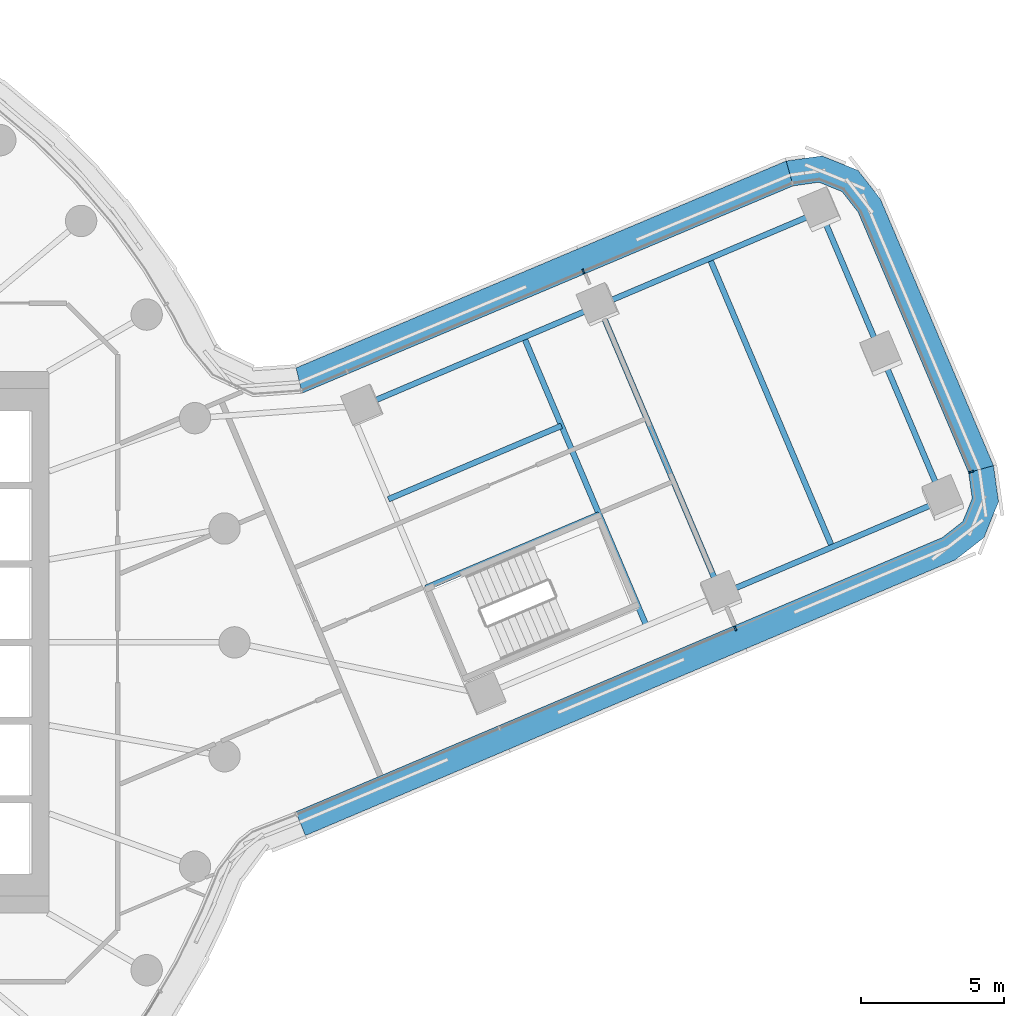
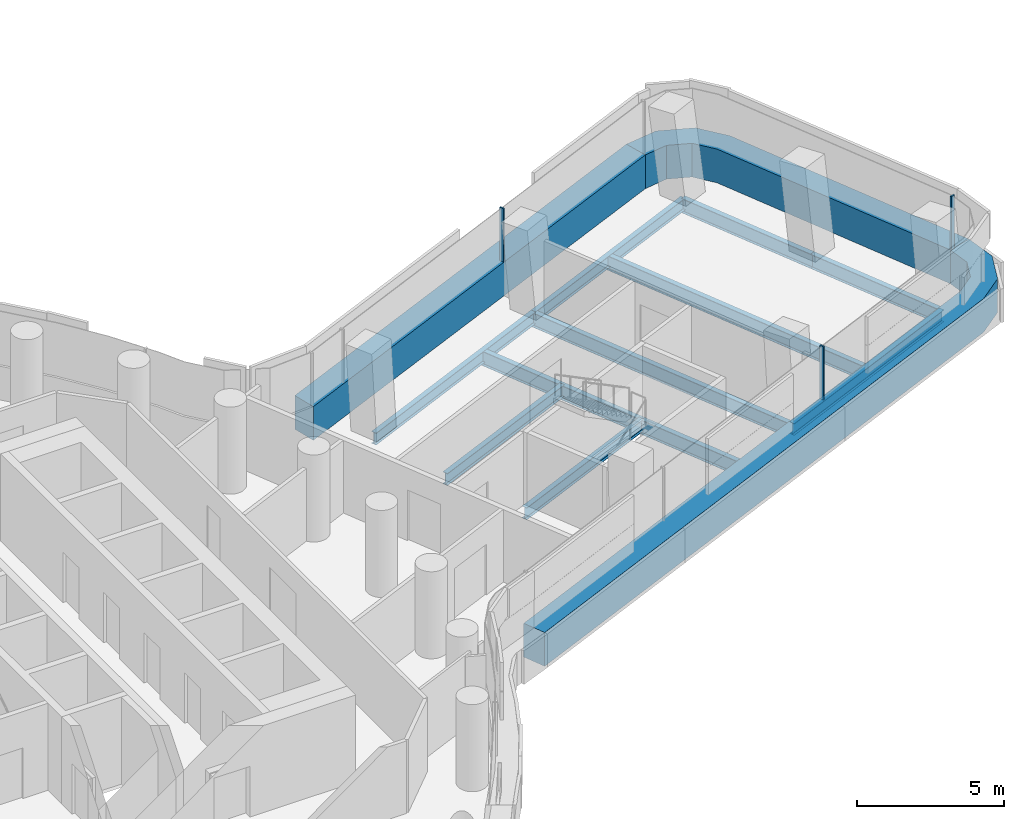
# One storey, part 13 of 35: 10 beams, 6 members, 3 elements without a shape of their own.
"""IFC4 building model written with IfcOpenShell, lengths in metres."""

from ifc_helpers import new_model, si_unit, direction, frame, origin, origin_2d, place, context, subcontext, project, spatial, polyline, rectangle, i_section, outline, extrude, material, layer, layer_set, material_profile, profile_set, type_object, element, aggregate, save


model = new_model("IFC4")

# Units and contexts
model_context = context("Model", 3, precision=1e-05, world=origin(), true_north=direction((0.0, 1.0)))
body_context = subcontext(model_context, "Body", "Model", "MODEL_VIEW")
ifc_project = project(units=[si_unit("LENGTHUNIT", "METRE"), si_unit("AREAUNIT", "SQUARE_METRE"), si_unit("VOLUMEUNIT", "CUBIC_METRE"), si_unit("PLANEANGLEUNIT", "RADIAN"), si_unit("MASSUNIT", "GRAM", prefix="KILO")], contexts=[model_context])

# Site, building, storey
site_placement = place(None, origin())
site = spatial("IfcSite", under=ifc_project, at=site_placement, CompositionType="ELEMENT")
building_placement = place(site_placement, origin())
building = spatial("IfcBuilding", under=site, at=building_placement, Name="Tamarind Cross Interchange Tower", CompositionType="ELEMENT")
storey_placement = place(building_placement, frame((0.0, 0.0, 117.25)))
storey = spatial("IfcBuildingStorey", under=building, at=storey_placement, Name="L28", CompositionType="ELEMENT", Elevation=117.25)

# Beams
ifc_material_1 = material(Name="Steel Q355B", Category="steel")
ifc_material_profile_1 = material_profile(ifc_material_1, i_section(OverallWidth=0.198974609375, OverallDepth=0.49609375, WebThickness=0.009033203125, FlangeThickness=0.013916015625, FilletRadius=0.012939453125, at=origin_2d()), Name="HN 496x199x9x14")
ifc_profile_set_1 = profile_set([ifc_material_profile_1], Name="Steel Q355B")
beam_type_1 = type_object("IfcBeamType", Name="Composite beam HN 496x199x9x14 Q355B", PredefinedType="BEAM", material=ifc_profile_set_1)
beam_1_placement = place(storey_placement, frame((47.856689453125, 4.99365234375, -0.387939453125), z_axis=(-0.920598142484, -0.390511280317, 0.0), x_axis=(0.390511280317, -0.920598142484, 0.0)))
element("IfcBeam", 1, at=beam_1_placement, inside=storey, type_object=beam_type_1, Name="Beam E-edgeem5", PredefinedType="BEAM", context=body_context, shape_type="SweptSolid", body=[
    extrude(i_section(OverallWidth=0.198974609375, OverallDepth=0.49609375, WebThickness=0.009033203125, FlangeThickness=0.013916015625, FilletRadius=0.012939453125, at=origin_2d()), origin(), (0.0, 0.0, 1.0), 8.45361328125),
])
beam_2_placement = place(storey_placement, frame((43.561279296875, 15.1201171875, -0.387939453125), z_axis=(-0.920602546435, -0.390500898202, 0.0), x_axis=(0.390500898202, -0.920602546435, 0.0)))
element("IfcBeam", 2, at=beam_2_placement, inside=storey, type_object=beam_type_1, Name="Beam E-edgeep2", PredefinedType="BEAM", context=body_context, shape_type="SweptSolid", body=[
    extrude(i_section(OverallWidth=0.198974609375, OverallDepth=0.49609375, WebThickness=0.009033203125, FlangeThickness=0.013916015625, FilletRadius=0.012939453125, at=origin_2d()), origin(), (0.0, 0.0, 1.0), 8.453857421875),
])
beam_3_placement = place(storey_placement, frame((35.778564453125, 11.81884765625, -0.387939453125), z_axis=(-0.920606310396, -0.390492024579, 0.0), x_axis=(0.390492024579, -0.920606310396, 0.0)))
element("IfcBeam", 3, at=beam_3_placement, inside=storey, type_object=beam_type_1, Name="Beam E-edgeep3", PredefinedType="BEAM", context=body_context, shape_type="SweptSolid", body=[
    extrude(i_section(OverallWidth=0.198974609375, OverallDepth=0.49609375, WebThickness=0.009033203125, FlangeThickness=0.013916015625, FilletRadius=0.012939453125, at=origin_2d()), origin(), (0.0, 0.0, 1.0), 9.0),
])
for number, where, z_axis, x_axis, name in (
    (4, (29.71484375, 1.91455078125, -0.387939453125), (0.920596692778, 0.390514697861, 0.0), (-0.390514697861, 0.920596692778, 0.0), "Beam E-tr1"),
    (5, (28.39697265625, 5.021728515625, -0.387939453125), (0.920596692778, 0.390514697861, 0.0), (-0.390514697861, 0.920596692778, 0.0), "Beam E-stripp"),
):
    element("IfcBeam", number, at=place(storey_placement, frame(where, z_axis=z_axis, x_axis=x_axis)), inside=storey, type_object=beam_type_1, Name=name, PredefinedType="BEAM", context=body_context, shape_type="SweptSolid", body=[
        extrude(i_section(OverallWidth=0.198974609375, OverallDepth=0.49609375, WebThickness=0.009033203125, FlangeThickness=0.013916015625, FilletRadius=0.012939453125, at=origin_2d()), origin(), (0.0, 0.0, 1.0), 6.60009765625),
    ])
ifc_material_profile_2 = material_profile(ifc_material_1, i_section(OverallWidth=0.199951171875, OverallDepth=0.60009765625, WebThickness=0.010986328125, FlangeThickness=0.01708984375, FilletRadius=0.012939453125, at=origin_2d()), Name="HN 600x200x11x17")
ifc_profile_set_2 = profile_set([ifc_material_profile_2], Name="Steel Q355B")
beam_type_2 = type_object("IfcBeamType", Name="Composite beam HN 600x200x11x17 Q355B", PredefinedType="BEAM", material=ifc_profile_set_2)
for number, where, z_axis, x_axis, name in (
    (6, (47.856689453125, 4.99365234375, -0.43994140625), (-0.390498547338, 0.920603543621, 0.0), (-0.920603543621, -0.390498547338, 0.0), "Beam E-tip0"),
    (7, (45.708984375, 10.056884765625, -0.43994140625), (-0.390498547338, 0.920603543621, 0.0), (-0.920603543621, -0.390498547338, 0.0), "Beam E-tip1"),
):
    element("IfcBeam", number, at=place(storey_placement, frame(where, z_axis=z_axis, x_axis=x_axis)), inside=storey, type_object=beam_type_2, Name=name, PredefinedType="BEAM", context=body_context, shape_type="SweptSolid", body=[
        extrude(i_section(OverallWidth=0.199951171875, OverallDepth=0.60009765625, WebThickness=0.010986328125, FlangeThickness=0.01708984375, FilletRadius=0.012939453125, at=origin_2d()), origin(), (0.0, 0.0, 1.0), 5.5),
    ])
for number, where, z_axis, x_axis, name in (
    (8, (37.450439453125, 0.579345703125, -0.43994140625), (-0.390490568515, 0.920606928011, 0.0), (-0.920606928011, -0.390490568515, 0.0), "Beam E-x364"),
    (9, (40.07421875, 1.6923828125, -0.43994140625), (-0.390517357583, 0.920595564527, 0.0), (-0.920595564527, -0.390517357583, 0.0), "Beam E-x393"),
    (10, (43.965576171875, 3.343017578125, -0.43994140625), (-0.390517357583, 0.920595564527, 0.0), (-0.920595564527, -0.390517357583, 0.0), "Beam E-x435"),
):
    element("IfcBeam", number, at=place(storey_placement, frame(where, z_axis=z_axis, x_axis=x_axis)), inside=storey, type_object=beam_type_2, Name=name, PredefinedType="BEAM", context=body_context, shape_type="SweptSolid", body=[
        extrude(i_section(OverallWidth=0.199951171875, OverallDepth=0.60009765625, WebThickness=0.010986328125, FlangeThickness=0.01708984375, FilletRadius=0.012939453125, at=origin_2d()), origin(), (0.0, 0.0, 1.0), 11.0),
    ])

# Curtain wall, member
ifc_material_2 = material(Name="Aluminium 6063-T6", Category="aluminium")
ifc_layer = layer(ifc_material_2, 0.159912109375)
ifc_layer_set = layer_set([ifc_layer], Name="Aluminium 6063-T6")
curtain_wall_type = type_object("IfcCurtainWallType", Name="Office curtain wall, 9.0 m bays", PredefinedType="NOTDEFINED", material=ifc_layer_set)
curtain_wall_1_placement = place(storey_placement, origin())
curtain_wall_1 = element("IfcCurtainWall", 11, at=curtain_wall_1_placement, inside=storey, type_object=curtain_wall_type, Name="CWS-L28-07", PredefinedType="NOTDEFINED")
ifc_material_3 = material(Name="Aluminium and insulated spandrel panel", Category="aluminium")
member_type_1 = type_object("IfcMemberType", Name="Floor-edge blade transom", PredefinedType="USERDEFINED", material=ifc_material_3)
member_1_placement = place(storey_placement, origin())
member_1 = element("IfcMember", 12, at=member_1_placement, type_object=member_type_1, Name="CWT-L28-07", ObjectType="TRANSOM", PredefinedType="USERDEFINED", context=body_context, shape_type="SweptSolid", body=[
    extrude(outline(polyline([(25.145751953125, -5.943603515625), (47.82861328125, 3.67822265625), (48.55029296875, 4.241455078125), (48.8779296875, 5.05224609375), (48.750732421875, 5.958740234375), (49.625732421875, 6.201171875), (49.802734375, 4.9384765625), (49.294189453125, 3.6806640625), (48.289306640625, 2.895751953125), (25.486572265625, -6.776611328125), (25.145751953125, -5.943603515625)])), origin(), (0.0, 0.0, 1.0), 1.39990234375),
])

curtain_wall_2_placement = place(storey_placement, origin())
curtain_wall_2 = element("IfcCurtainWall", 13, at=curtain_wall_2_placement, inside=storey, type_object=curtain_wall_type, Name="CWS-L28-08", PredefinedType="NOTDEFINED")
member_2_placement = place(storey_placement, origin())
member_2 = element("IfcMember", 14, at=member_2_placement, type_object=member_type_1, Name="CWT-L28-08", ObjectType="TRANSOM", PredefinedType="USERDEFINED", context=body_context, shape_type="SweptSolid", body=[
    extrude(outline(polyline([(48.750732421875, 5.958740234375), (44.876708984375, 15.092041015625), (44.313232421875, 15.8134765625), (43.50244140625, 16.141357421875), (42.595703125, 16.01416015625), (42.354248046875, 16.88916015625), (43.6162109375, 17.066162109375), (44.874267578125, 16.5576171875), (45.658935546875, 15.552734375), (49.625732421875, 6.201171875), (48.750732421875, 5.958740234375)])), origin(), (0.0, 0.0, 1.0), 1.39990234375),
])

curtain_wall_3_placement = place(storey_placement, origin())
curtain_wall_3 = element("IfcCurtainWall", 15, at=curtain_wall_3_placement, inside=storey, type_object=curtain_wall_type, Name="CWS-L28-09", PredefinedType="NOTDEFINED")
member_3_placement = place(storey_placement, origin())
member_3 = element("IfcMember", 16, at=member_3_placement, type_object=member_type_1, Name="CWT-L28-09", ObjectType="TRANSOM", PredefinedType="USERDEFINED", context=body_context, shape_type="SweptSolid", body=[
    extrude(outline(polyline([(42.595703125, 16.01416015625), (25.37060546875, 8.741943359375), (25.15771484375, 9.629150390625), (42.354248046875, 16.88916015625), (42.595703125, 16.01416015625)])), origin(), (0.0, 0.0, 1.0), 1.39990234375),
])

# Member
ifc_material_profile_3 = material_profile(ifc_material_2, rectangle(XDim=0.06005859375, YDim=0.159912109375, at=origin_2d()), Name="Mullion CW1")
ifc_profile_set_3 = profile_set([ifc_material_profile_3], Name="Aluminium 6063-T6")
member_type_2 = type_object("IfcMemberType", Name="Mullion CW1", PredefinedType="MULLION", material=ifc_profile_set_3)
member_4_placement = place(storey_placement, frame((40.566162109375, 0.48876953125, 1.39990234375), z_axis=(0.0, 0.0, 1.0), x_axis=(0.920603025823, 0.390499768049, 0.0)))
member_4 = element("IfcMember", 17, at=member_4_placement, type_object=member_type_2, Name="CWM-L28-07-02", PredefinedType="MULLION", context=body_context, shape_type="SweptSolid", body=[
    extrude(rectangle(XDim=0.06005859375, YDim=0.159912109375, at=origin_2d()), origin(), (0.0, 0.0, 1.0), 2.210205078125),
])

aggregate(curtain_wall_1, [member_4, member_1])

member_5_placement = place(storey_placement, frame((48.847900390625, 5.98583984375, 1.39990234375), z_axis=(0.0, 0.0, 1.0), x_axis=(-0.266996180892, 0.963697587103, 0.0)))
member_5 = element("IfcMember", 18, at=member_5_placement, type_object=member_type_2, Name="CWM-L28-08-00", PredefinedType="MULLION", context=body_context, shape_type="SweptSolid", body=[
    extrude(rectangle(XDim=0.06005859375, YDim=0.159912109375, at=origin_2d()), origin(), (0.0, 0.0, 1.0), 2.210205078125),
])

aggregate(curtain_wall_2, [member_5, member_2])

member_6_placement = place(storey_placement, frame((35.238525390625, 13.0166015625, 1.39990234375), z_axis=(0.0, 0.0, 1.0), x_axis=(-0.921263635853, -0.388938701154, 0.0)))
member_6 = element("IfcMember", 19, at=member_6_placement, type_object=member_type_2, Name="CWM-L28-09-01", PredefinedType="MULLION", context=body_context, shape_type="SweptSolid", body=[
    extrude(rectangle(XDim=0.06005859375, YDim=0.159912109375, at=origin_2d()), origin(), (0.0, 0.0, 1.0), 2.210205078125),
])

aggregate(curtain_wall_3, [member_6, member_3])

save(model, "model.ifc")
